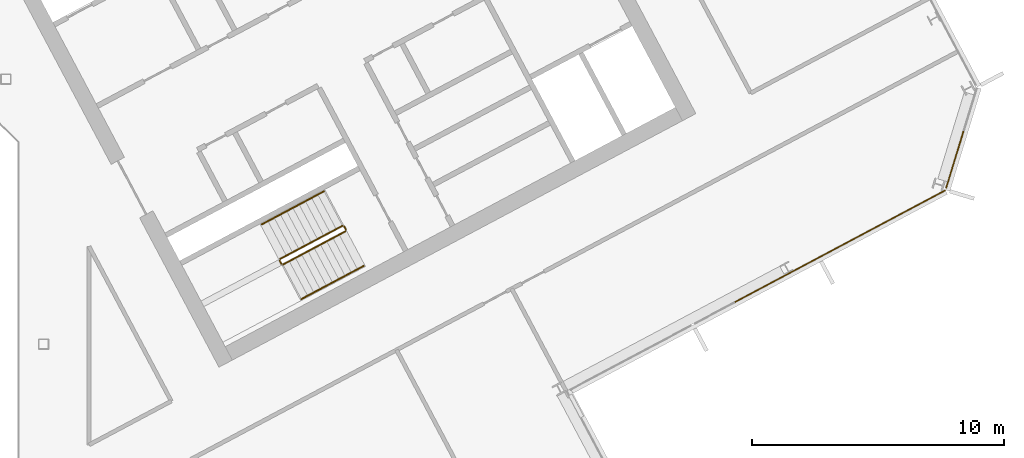
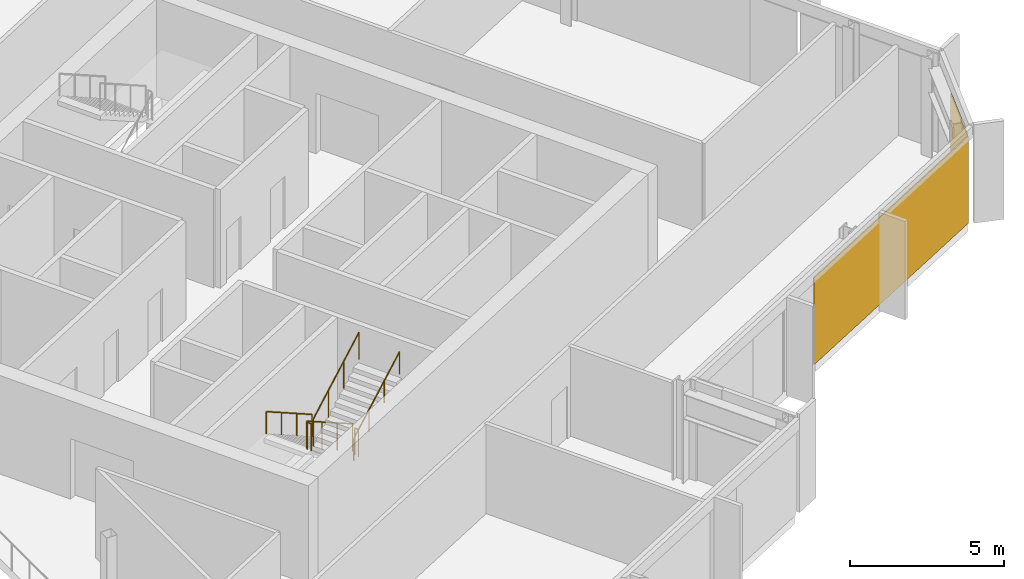
# One storey, part 24 of 26: 6 railings, 2 coverings, 2 elements without a shape of their own.
"""IFC4 building model written with IfcOpenShell, lengths in metres."""

from ifc_helpers import new_model, si_unit, direction, frame, origin, origin_2d, place, context, subcontext, project, spatial, polyline, rectangle, outline, extrude, material, layer, layer_set, type_object, element, aggregate, save


model = new_model("IFC4")

# Units and contexts
model_context = context("Model", 3, precision=1e-05, world=origin(), true_north=direction((0.0, 1.0)))
body_context = subcontext(model_context, "Body", "Model", "MODEL_VIEW")
ifc_project = project(units=[si_unit("LENGTHUNIT", "METRE"), si_unit("AREAUNIT", "SQUARE_METRE"), si_unit("VOLUMEUNIT", "CUBIC_METRE"), si_unit("PLANEANGLEUNIT", "RADIAN"), si_unit("MASSUNIT", "GRAM", prefix="KILO")], contexts=[model_context])

# Site, building, storey
site_placement = place(None, origin())
site = spatial("IfcSite", under=ifc_project, at=site_placement, CompositionType="ELEMENT")
building_placement = place(site_placement, origin())
building = spatial("IfcBuilding", under=site, at=building_placement, Name="Cormorant Relay Tower", CompositionType="ELEMENT")
storey_placement = place(building_placement, frame((0.0, 0.0, 197.39990234375)))
storey = spatial("IfcBuildingStorey", under=building, at=storey_placement, Name="L42", CompositionType="ELEMENT", Elevation=197.39990234375)

# Curtain wall, covering
ifc_material_1 = material(Name="Aluminium 6063-T6 anodised bronze", Category="aluminium")
ifc_layer_1 = layer(ifc_material_1, 0.199951171875)
ifc_layer_set_1 = layer_set([ifc_layer_1], Name="CW1 unitised bronze curtain wall with vertical fins")
curtain_wall_type = type_object("IfcCurtainWallType", Name="CW1 unitised bronze curtain wall with vertical fins", PredefinedType="NOTDEFINED", material=ifc_layer_set_1)
curtain_wall_1_placement = place(storey_placement, origin())
curtain_wall_1 = element("IfcCurtainWall", 1, at=curtain_wall_1_placement, inside=storey, type_object=curtain_wall_type, Name="CW1 curtain wall 4", PredefinedType="NOTDEFINED")
ifc_material_2 = material(Name="Pale bronze anodised aluminium insulated panel", Category="aluminium")
ifc_layer_2 = layer(ifc_material_2, 0.0400390625)
ifc_layer_set_2 = layer_set([ifc_layer_2], Name="CW1 pale bronze insulated panel 40")
covering_type = type_object("IfcCoveringType", Name="CW1 pale bronze insulated panel 40", PredefinedType="CLADDING", material=ifc_layer_set_2)
covering_1_placement = place(storey_placement, frame((43.54736328125, 3.878173828125, 0.0), z_axis=(0.0, 0.0, 1.0), x_axis=(0.882947592859, 0.469471562786, 0.0)))
covering_1 = element("IfcCovering", 2, at=covering_1_placement, type_object=covering_type, Name="CW1 panel S03", PredefinedType="CLADDING", context=body_context, shape_type="SweptSolid", body=[
    extrude(rectangle(XDim=9.458251953125, YDim=0.0400390625, at=origin_2d()), origin(), (0.0, 0.0, 1.0), 3.449951171875),
])
aggregate(curtain_wall_1, [covering_1])

curtain_wall_2_placement = place(storey_placement, origin())
curtain_wall_2 = element("IfcCurtainWall", 3, at=curtain_wall_2_placement, inside=storey, type_object=curtain_wall_type, Name="CW1 curtain wall 5", PredefinedType="NOTDEFINED")
covering_2_placement = place(storey_placement, frame((48.100830078125, 7.314208984375, 0.0), z_axis=(0.0, 0.0, 1.0), x_axis=(0.292371704723, 0.956304755963, 0.0)))
covering_2 = element("IfcCovering", 4, at=covering_2_placement, type_object=covering_type, Name="CW1 panel S00", PredefinedType="CLADDING", context=body_context, shape_type="SweptSolid", body=[
    extrude(rectangle(XDim=2.36767578125, YDim=0.0400390625, at=origin_2d()), origin(), (0.0, 0.0, 1.0), 3.449951171875),
])
aggregate(curtain_wall_2, [covering_2])

# Railings
ifc_material_3 = material(Name="Steel ASTM A572 Grade 50 (Fy 345 MPa)", Category="steel")
railing_type_1 = type_object("IfcRailingType", Name="Stair guard 1100", PredefinedType="GUARDRAIL", material=ifc_material_3)
railing_1_placement = place(storey_placement, frame((23.83837890625, 4.6904296875, 0.177490234375)))
element("IfcRailing", 5, at=railing_1_placement, inside=storey, type_object=railing_type_1, Name="L42 B1 stair guard 1", PredefinedType="GUARDRAIL", context=body_context, shape_type="SweptSolid", body=[
    extrude(outline(polyline([(0.022216796875, 0.00927734375), (0.00927734375, 0.022216796875), (-0.00927734375, 0.022216796875), (-0.022216796875, 0.00927734375), (-0.022216796875, -0.00927734375), (-0.00927734375, -0.022216796875), (0.00927734375, -0.022216796875), (0.022216796875, -0.00927734375), (0.022216796875, 0.00927734375)])), frame((0.0, 0.0, 1.076171875), z_axis=(-0.746033882577, -0.396627473466, 0.534901947407), x_axis=(0.469429322983, -0.882970050864, 0.0)), (0.0, 0.0, 1.0), 3.31396484375),
    extrude(outline(polyline([(0.019287109375, 0.008056640625), (0.008056640625, 0.019287109375), (-0.008056640625, 0.019287109375), (-0.019287109375, 0.008056640625), (-0.019287109375, -0.008056640625), (-0.008056640625, -0.019287109375), (0.008056640625, -0.019287109375), (0.019287109375, -0.008056640625), (0.019287109375, 0.008056640625)])), origin(), (0.0, 0.0, 1.0), 1.052001953125),
    extrude(outline(polyline([(0.019287109375, 0.008056640625), (0.008056640625, 0.019287109375), (-0.008056640625, 0.019287109375), (-0.019287109375, 0.008056640625), (-0.019287109375, -0.008056640625), (-0.008056640625, -0.019287109375), (0.008056640625, -0.019287109375), (0.019287109375, -0.008056640625), (0.019287109375, 0.008056640625)])), frame((-0.82421875, -0.438232421875, 0.5908203125)), (0.0, 0.0, 1.0), 1.052001953125),
    extrude(outline(polyline([(0.019287109375, 0.008056640625), (0.008056640625, 0.019287109375), (-0.008056640625, 0.019287109375), (-0.019287109375, 0.008056640625), (-0.019287109375, -0.008056640625), (-0.008056640625, -0.019287109375), (0.008056640625, -0.019287109375), (0.019287109375, -0.008056640625), (0.019287109375, 0.008056640625)])), frame((-1.648193359375, -0.876220703125, 1.181884765625)), (0.0, 0.0, 1.0), 1.052001953125),
    extrude(outline(polyline([(0.019287109375, 0.008056640625), (0.008056640625, 0.019287109375), (-0.008056640625, 0.019287109375), (-0.019287109375, 0.008056640625), (-0.019287109375, -0.008056640625), (-0.008056640625, -0.019287109375), (0.008056640625, -0.019287109375), (0.019287109375, -0.008056640625), (0.019287109375, 0.008056640625)])), frame((-2.472412109375, -1.314453125, 1.772705078125)), (0.0, 0.0, 1.0), 1.052001953125),
])
railing_2_placement = place(storey_placement, frame((21.345458984375, 3.308349609375, 1.9501953125)))
element("IfcRailing", 6, at=railing_2_placement, inside=storey, type_object=railing_type_1, Name="L42 B1 stair guard 2", PredefinedType="GUARDRAIL", context=body_context, shape_type="SweptSolid", body=[
    extrude(outline(polyline([(0.022216796875, 0.00927734375), (0.00927734375, 0.022216796875), (-0.00927734375, 0.022216796875), (-0.022216796875, 0.00927734375), (-0.022216796875, -0.00927734375), (-0.00927734375, -0.022216796875), (0.00927734375, -0.022216796875), (0.022216796875, -0.00927734375), (0.022216796875, 0.00927734375)])), frame((0.0, 0.0, 1.076171875), z_axis=(0.46856034887, -0.8834314911, 0.0), x_axis=(0.8834314911, 0.46856034887, 0.0)), (0.0, 0.0, 1.0), 0.150146484375),
    extrude(outline(polyline([(0.019287109375, 0.008056640625), (0.008056640625, 0.019287109375), (-0.008056640625, 0.019287109375), (-0.019287109375, 0.008056640625), (-0.019287109375, -0.008056640625), (-0.008056640625, -0.019287109375), (0.008056640625, -0.019287109375), (0.019287109375, -0.008056640625), (0.019287109375, 0.008056640625)])), origin(), (0.0, 0.0, 1.0), 1.052001953125),
    extrude(outline(polyline([(0.019287109375, 0.008056640625), (0.008056640625, 0.019287109375), (-0.008056640625, 0.019287109375), (-0.019287109375, 0.008056640625), (-0.019287109375, -0.008056640625), (-0.008056640625, -0.019287109375), (0.008056640625, -0.019287109375), (0.019287109375, -0.008056640625), (0.019287109375, 0.008056640625)])), frame((0.0703125, -0.132568359375, 0.0)), (0.0, 0.0, 1.0), 1.052001953125),
])
railing_3_placement = place(storey_placement, frame((21.4833984375, 3.1552734375, 2.12744140625)))
element("IfcRailing", 7, at=railing_3_placement, inside=storey, type_object=railing_type_1, Name="L42 B1 stair guard 3", PredefinedType="GUARDRAIL", context=body_context, shape_type="SweptSolid", body=[
    extrude(outline(polyline([(0.022216796875, 0.00927734375), (0.00927734375, 0.022216796875), (-0.00927734375, 0.022216796875), (-0.022216796875, 0.00927734375), (-0.022216796875, -0.00927734375), (-0.00927734375, -0.022216796875), (0.00927734375, -0.022216796875), (0.022216796875, -0.00927734375), (0.022216796875, 0.00927734375)])), frame((0.0, 0.0, 1.076171875), z_axis=(0.746001213114, 0.396649272309, 0.534931345884), x_axis=(-0.469465464807, 0.882950835185, 0.0)), (0.0, 0.0, 1.0), 3.31396484375),
    extrude(outline(polyline([(0.019287109375, 0.008056640625), (0.008056640625, 0.019287109375), (-0.008056640625, 0.019287109375), (-0.019287109375, 0.008056640625), (-0.019287109375, -0.008056640625), (-0.008056640625, -0.019287109375), (0.008056640625, -0.019287109375), (0.019287109375, -0.008056640625), (0.019287109375, 0.008056640625)])), origin(), (0.0, 0.0, 1.0), 1.052001953125),
    extrude(outline(polyline([(0.019287109375, 0.008056640625), (0.008056640625, 0.019287109375), (-0.008056640625, 0.019287109375), (-0.019287109375, 0.008056640625), (-0.019287109375, -0.008056640625), (-0.008056640625, -0.019287109375), (0.008056640625, -0.019287109375), (0.019287109375, -0.008056640625), (0.019287109375, 0.008056640625)])), frame((0.823974609375, 0.438232421875, 0.5908203125)), (0.0, 0.0, 1.0), 1.052001953125),
    extrude(outline(polyline([(0.019287109375, 0.008056640625), (0.008056640625, 0.019287109375), (-0.008056640625, 0.019287109375), (-0.019287109375, 0.008056640625), (-0.019287109375, -0.008056640625), (-0.008056640625, -0.019287109375), (0.008056640625, -0.019287109375), (0.019287109375, -0.008056640625), (0.019287109375, 0.008056640625)])), frame((1.648193359375, 0.876220703125, 1.181884765625)), (0.0, 0.0, 1.0), 1.052001953125),
    extrude(outline(polyline([(0.019287109375, 0.008056640625), (0.008056640625, 0.019287109375), (-0.008056640625, 0.019287109375), (-0.019287109375, 0.008056640625), (-0.019287109375, -0.008056640625), (-0.008056640625, -0.019287109375), (0.008056640625, -0.019287109375), (0.019287109375, -0.008056640625), (0.019287109375, 0.008056640625)])), frame((2.47216796875, 1.314453125, 1.772705078125)), (0.0, 0.0, 1.0), 1.052001953125),
])
railing_4_placement = place(storey_placement, frame((23.906005859375, 4.669677734375, 0.0)))
element("IfcRailing", 8, at=railing_4_placement, inside=storey, type_object=railing_type_1, Name="L42 B1 stair guard 4", PredefinedType="GUARDRAIL", context=body_context, shape_type="SweptSolid", body=[
    extrude(outline(polyline([(0.022216796875, 0.00927734375), (0.00927734375, 0.022216796875), (-0.00927734375, 0.022216796875), (-0.022216796875, 0.00927734375), (-0.022216796875, -0.00927734375), (-0.00927734375, -0.022216796875), (0.00927734375, -0.022216796875), (0.022216796875, -0.00927734375), (0.022216796875, 0.00927734375)])), frame((0.0, 0.0, 1.076171875), z_axis=(0.469234640946, -0.883073525669, 0.0), x_axis=(0.883073525669, 0.469234640946, 0.0)), (0.0, 0.0, 1.0), 0.14990234375),
    extrude(outline(polyline([(0.019287109375, 0.008056640625), (0.008056640625, 0.019287109375), (-0.008056640625, 0.019287109375), (-0.019287109375, 0.008056640625), (-0.019287109375, -0.008056640625), (-0.008056640625, -0.019287109375), (0.008056640625, -0.019287109375), (0.019287109375, -0.008056640625), (0.019287109375, 0.008056640625)])), origin(), (0.0, 0.0, 1.0), 1.052001953125),
    extrude(outline(polyline([(0.019287109375, 0.008056640625), (0.008056640625, 0.019287109375), (-0.008056640625, 0.019287109375), (-0.019287109375, 0.008056640625), (-0.019287109375, -0.008056640625), (-0.008056640625, -0.019287109375), (0.008056640625, -0.019287109375), (0.019287109375, -0.008056640625), (0.019287109375, 0.008056640625)])), frame((0.0703125, -0.13232421875, 0.0)), (0.0, 0.0, 1.0), 1.052001953125),
])
ifc_material_4 = material(Name="Steel ASTM A572 Grade 50 (Fy 345 MPa)", Category="steel")
railing_type_2 = type_object("IfcRailingType", Name="Stair handrail 900", PredefinedType="HANDRAIL", material=ifc_material_4)
railing_5_placement = place(storey_placement, frame((23.110595703125, 6.05908203125, 0.177490234375)))
element("IfcRailing", 9, at=railing_5_placement, inside=storey, type_object=railing_type_2, Name="L42 B1 stair handrail 1", PredefinedType="HANDRAIL", context=body_context, shape_type="SweptSolid", body=[
    extrude(outline(polyline([(0.022216796875, 0.00927734375), (0.00927734375, 0.022216796875), (-0.00927734375, 0.022216796875), (-0.022216796875, 0.00927734375), (-0.022216796875, -0.00927734375), (-0.00927734375, -0.022216796875), (0.00927734375, -0.022216796875), (0.022216796875, -0.00927734375), (0.022216796875, 0.00927734375)])), frame((0.0, 0.0, 0.8759765625), z_axis=(-0.745979412481, -0.396711350603, 0.534915713414), x_axis=(0.469533439143, -0.882914689835, 0.0)), (0.0, 0.0, 1.0), 3.31396484375),
    extrude(outline(polyline([(0.019287109375, 0.008056640625), (0.008056640625, 0.019287109375), (-0.008056640625, 0.019287109375), (-0.019287109375, 0.008056640625), (-0.019287109375, -0.008056640625), (-0.008056640625, -0.019287109375), (0.008056640625, -0.019287109375), (0.019287109375, -0.008056640625), (0.019287109375, 0.008056640625)])), origin(), (0.0, 0.0, 1.0), 0.851806640625),
    extrude(outline(polyline([(0.019287109375, 0.008056640625), (0.008056640625, 0.019287109375), (-0.008056640625, 0.019287109375), (-0.019287109375, 0.008056640625), (-0.019287109375, -0.008056640625), (-0.008056640625, -0.019287109375), (0.008056640625, -0.019287109375), (0.019287109375, -0.008056640625), (0.019287109375, 0.008056640625)])), frame((-0.823974609375, -0.438232421875, 0.5908203125)), (0.0, 0.0, 1.0), 0.851806640625),
    extrude(outline(polyline([(0.019287109375, 0.008056640625), (0.008056640625, 0.019287109375), (-0.008056640625, 0.019287109375), (-0.019287109375, 0.008056640625), (-0.019287109375, -0.008056640625), (-0.008056640625, -0.019287109375), (0.008056640625, -0.019287109375), (0.019287109375, -0.008056640625), (0.019287109375, 0.008056640625)])), frame((-1.648193359375, -0.87646484375, 1.181884765625)), (0.0, 0.0, 1.0), 0.851806640625),
    extrude(outline(polyline([(0.019287109375, 0.008056640625), (0.008056640625, 0.019287109375), (-0.008056640625, 0.019287109375), (-0.019287109375, 0.008056640625), (-0.019287109375, -0.008056640625), (-0.008056640625, -0.019287109375), (0.008056640625, -0.019287109375), (0.019287109375, -0.008056640625), (0.019287109375, 0.008056640625)])), frame((-2.47216796875, -1.314697265625, 1.772705078125)), (0.0, 0.0, 1.0), 0.851806640625),
])
railing_6_placement = place(storey_placement, frame((22.211181640625, 1.78662109375, 2.12744140625)))
element("IfcRailing", 10, at=railing_6_placement, inside=storey, type_object=railing_type_2, Name="L42 B1 stair handrail 2", PredefinedType="HANDRAIL", context=body_context, shape_type="SweptSolid", body=[
    extrude(outline(polyline([(0.022216796875, 0.00927734375), (0.00927734375, 0.022216796875), (-0.00927734375, 0.022216796875), (-0.022216796875, 0.00927734375), (-0.022216796875, -0.00927734375), (-0.00927734375, -0.022216796875), (0.00927734375, -0.022216796875), (0.022216796875, -0.00927734375), (0.022216796875, 0.00927734375)])), frame((0.0, 0.0, 0.8759765625), z_axis=(0.746001213114, 0.396649272309, 0.534931345884), x_axis=(-0.469465464807, 0.882950835185, 0.0)), (0.0, 0.0, 1.0), 3.31396484375),
    extrude(outline(polyline([(0.019287109375, 0.008056640625), (0.008056640625, 0.019287109375), (-0.008056640625, 0.019287109375), (-0.019287109375, 0.008056640625), (-0.019287109375, -0.008056640625), (-0.008056640625, -0.019287109375), (0.008056640625, -0.019287109375), (0.019287109375, -0.008056640625), (0.019287109375, 0.008056640625)])), origin(), (0.0, 0.0, 1.0), 0.851806640625),
    extrude(outline(polyline([(0.019287109375, 0.008056640625), (0.008056640625, 0.019287109375), (-0.008056640625, 0.019287109375), (-0.019287109375, 0.008056640625), (-0.019287109375, -0.008056640625), (-0.008056640625, -0.019287109375), (0.008056640625, -0.019287109375), (0.019287109375, -0.008056640625), (0.019287109375, 0.008056640625)])), frame((0.823974609375, 0.438232421875, 0.5908203125)), (0.0, 0.0, 1.0), 0.851806640625),
    extrude(outline(polyline([(0.019287109375, 0.008056640625), (0.008056640625, 0.019287109375), (-0.008056640625, 0.019287109375), (-0.019287109375, 0.008056640625), (-0.019287109375, -0.008056640625), (-0.008056640625, -0.019287109375), (0.008056640625, -0.019287109375), (0.019287109375, -0.008056640625), (0.019287109375, 0.008056640625)])), frame((1.648193359375, 0.876220703125, 1.181884765625)), (0.0, 0.0, 1.0), 0.851806640625),
    extrude(outline(polyline([(0.019287109375, 0.008056640625), (0.008056640625, 0.019287109375), (-0.008056640625, 0.019287109375), (-0.019287109375, 0.008056640625), (-0.019287109375, -0.008056640625), (-0.008056640625, -0.019287109375), (0.008056640625, -0.019287109375), (0.019287109375, -0.008056640625), (0.019287109375, 0.008056640625)])), frame((2.47216796875, 1.314453125, 1.772705078125)), (0.0, 0.0, 1.0), 0.851806640625),
])

save(model, "model.ifc")
